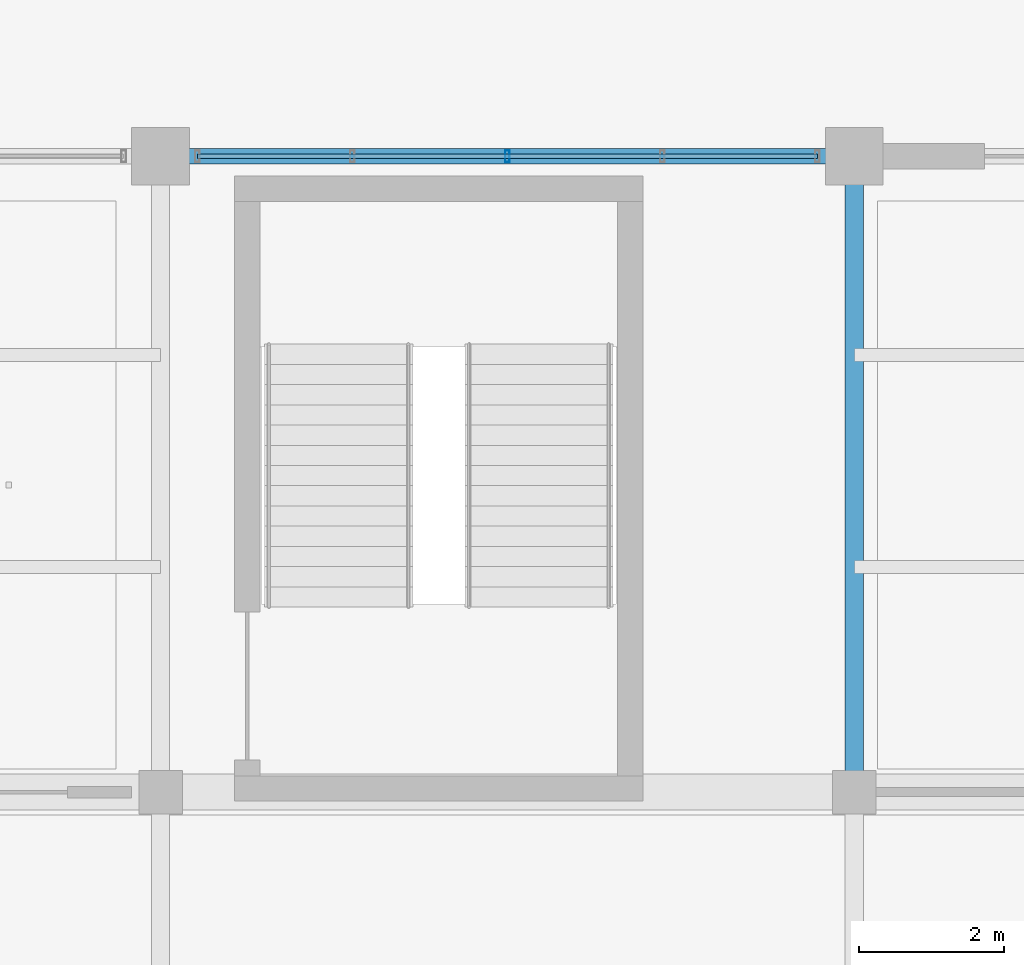
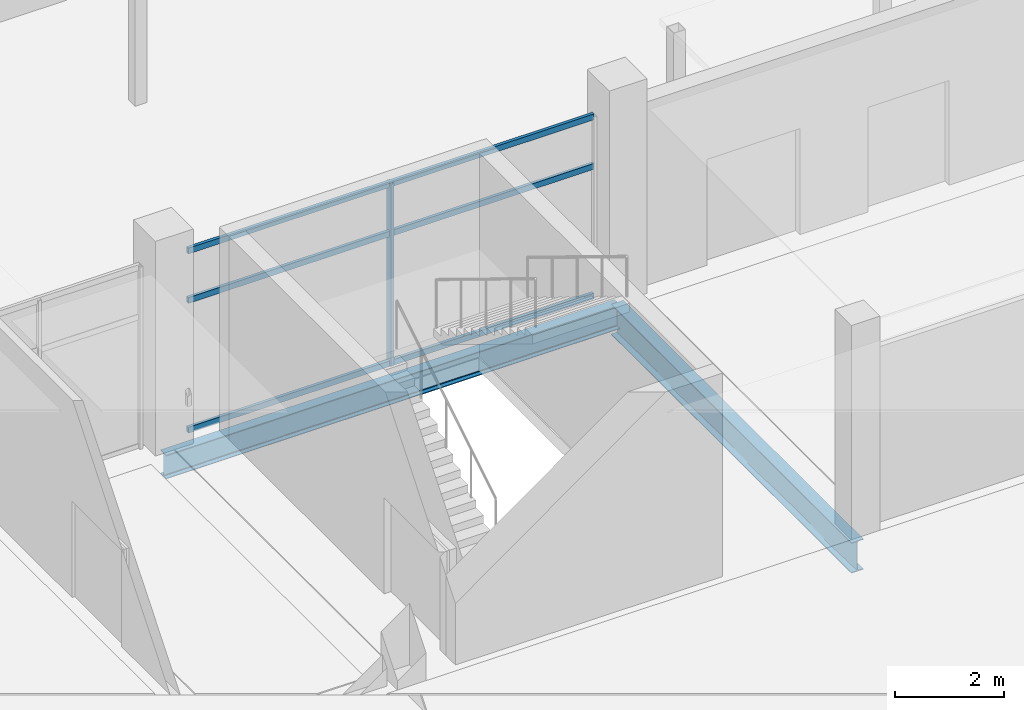
# One storey, part 48 of 116: 4 members, 2 beams, 1 element without a shape of its own.
"""IFC4 building model written with IfcOpenShell, lengths in metres."""

from ifc_helpers import new_model, si_unit, direction, frame, origin, origin_2d, place, context, subcontext, project, spatial, hollow_rectangle, i_section, extrude, material, layer, layer_set, material_profile, profile_set, type_object, element, aggregate, save


model = new_model("IFC4")

# Units and contexts
model_context = context("Model", 3, precision=1e-05, world=origin(), true_north=direction((0.0, 1.0)))
body_context = subcontext(model_context, "Body", "Model", "MODEL_VIEW")
ifc_project = project(units=[si_unit("LENGTHUNIT", "METRE"), si_unit("AREAUNIT", "SQUARE_METRE"), si_unit("VOLUMEUNIT", "CUBIC_METRE"), si_unit("PLANEANGLEUNIT", "RADIAN"), si_unit("MASSUNIT", "GRAM", prefix="KILO")], contexts=[model_context])

# Site, building, storey
site_placement = place(None, origin())
site = spatial("IfcSite", under=ifc_project, at=site_placement, CompositionType="ELEMENT")
building_placement = place(site_placement, origin())
building = spatial("IfcBuilding", under=site, at=building_placement, Name="Chalmorin Arch Market", CompositionType="ELEMENT")
storey_placement = place(building_placement, origin())
storey = spatial("IfcBuildingStorey", under=building, at=storey_placement, Name="L00", CompositionType="ELEMENT", Elevation=0.0)

# Curtain wall, members
ifc_material_1 = material(Name="Aluminium 6063-T6", Category="aluminium")
ifc_layer = layer(ifc_material_1, 0.159912109375)
ifc_layer_set = layer_set([ifc_layer], Name="Aluminium 6063-T6")
curtain_wall_type = type_object("IfcCurtainWallType", Name="RiverfrontStorefrontCurtainWall-CW2-8580x4080", PredefinedType="NOTDEFINED", material=ifc_layer_set)
curtain_wall_placement = place(storey_placement, origin())
curtain_wall = element("IfcCurtainWall", 1, at=curtain_wall_placement, inside=storey, type_object=curtain_wall_type, Name="CW-02-008", PredefinedType="NOTDEFINED")
ifc_material_profile_1 = material_profile(ifc_material_1, hollow_rectangle(XDim=0.06494140625, YDim=0.159912109375, WallThickness=0.00390625, at=origin_2d()), Name="ALU65X160X4")
ifc_profile_set_1 = profile_set([ifc_material_profile_1], Name="Aluminium 6063-T6")
member_type_1 = type_object("IfcMemberType", Name="CurtainWallMullion-65x160", PredefinedType="MULLION", material=ifc_profile_set_1)
member_1_placement = place(storey_placement, frame((72.0, 58.800048828125, 0.0), z_axis=(0.0, 0.0, 1.0), x_axis=(1.0, 0.0, 0.0)))
member_1 = element("IfcMember", 2, at=member_1_placement, type_object=member_type_1, Name="ML-008-03", PredefinedType="MULLION", context=body_context, shape_type="SweptSolid", body=[
    extrude(hollow_rectangle(XDim=0.06494140625, YDim=0.159912109375, WallThickness=0.00390625, at=origin_2d()), origin(), (0.0, 0.0, 1.0), 4.075927734375),
])
ifc_material_profile_2 = material_profile(ifc_material_1, hollow_rectangle(XDim=0.06494140625, YDim=0.1298828125, WallThickness=0.00390625, at=origin_2d()), Name="ALU65X130X4")
ifc_profile_set_2 = profile_set([ifc_material_profile_2], Name="Aluminium 6063-T6")
member_type_2 = type_object("IfcMemberType", Name="CurtainWallTransom-65x130", PredefinedType="USERDEFINED", material=ifc_profile_set_2)
member_2_placement = place(storey_placement, frame((67.7099609375, 58.800048828125, 0.034912109375), z_axis=(1.0, 0.0, 0.0), x_axis=(0.0, 1.0, 0.0)))
member_2 = element("IfcMember", 3, at=member_2_placement, type_object=member_type_2, Name="TR-008-01", ObjectType="TRANSOM", PredefinedType="USERDEFINED", context=body_context, shape_type="SweptSolid", body=[
    extrude(hollow_rectangle(XDim=0.06494140625, YDim=0.1298828125, WallThickness=0.00390625, at=origin_2d()), origin(), (0.0, 0.0, 1.0), 8.580078125),
])
member_3_placement = place(storey_placement, frame((67.7099609375, 58.800048828125, 2.934814453125), z_axis=(1.0, 0.0, 0.0), x_axis=(0.0, 1.0, 0.0)))
member_3 = element("IfcMember", 4, at=member_3_placement, type_object=member_type_2, Name="TR-008-02", ObjectType="TRANSOM", PredefinedType="USERDEFINED", context=body_context, shape_type="SweptSolid", body=[
    extrude(hollow_rectangle(XDim=0.06494140625, YDim=0.1298828125, WallThickness=0.00390625, at=origin_2d()), origin(), (0.0, 0.0, 1.0), 8.580078125),
])
member_4_placement = place(storey_placement, frame((67.7099609375, 58.800048828125, 4.041015625), z_axis=(1.0, 0.0, 0.0), x_axis=(0.0, 1.0, 0.0)))
member_4 = element("IfcMember", 5, at=member_4_placement, type_object=member_type_2, Name="TR-008-03", ObjectType="TRANSOM", PredefinedType="USERDEFINED", context=body_context, shape_type="SweptSolid", body=[
    extrude(hollow_rectangle(XDim=0.06494140625, YDim=0.1298828125, WallThickness=0.00390625, at=origin_2d()), origin(), (0.0, 0.0, 1.0), 8.580078125),
])
aggregate(curtain_wall, [member_1, member_2, member_3, member_4])

# Beams
ifc_material_2 = material(Name="Steel A992 Grade 50", Category="steel")
ifc_material_profile_3 = material_profile(ifc_material_2, i_section(OverallWidth=0.208984375, OverallDepth=0.532958984375, WebThickness=0.01025390625, FlangeThickness=0.015625, FilletRadius=0.02197265625, at=origin_2d()), Name="W21X62")
ifc_profile_set_3 = profile_set([ifc_material_profile_3], Name="Steel A992 Grade 50")
beam_type_1 = type_object("IfcBeamType", Name="PerimeterSpandrelBeam-W21X62", PredefinedType="SPANDREL", material=ifc_profile_set_3)
beam_1_placement = place(storey_placement, frame((67.199951171875, 58.800048828125, -0.568603515625), z_axis=(1.0, 0.0, 0.0), x_axis=(0.0, 1.0, 0.0)))
element("IfcBeam", 6, at=beam_1_placement, inside=storey, type_object=beam_type_1, Name="SP-W21-0044", PredefinedType="SPANDREL", context=body_context, shape_type="SweptSolid", body=[
    extrude(i_section(OverallWidth=0.208984375, OverallDepth=0.532958984375, WebThickness=0.01025390625, FlangeThickness=0.015625, FilletRadius=0.02197265625, at=origin_2d()), origin(), (0.0, 0.0, 1.0), 9.60009765625),
])
ifc_material_profile_4 = material_profile(ifc_material_2, i_section(OverallWidth=0.25390625, OverallDepth=0.68408203125, WebThickness=0.012451171875, FlangeThickness=0.018798828125, FilletRadius=0.02587890625, at=origin_2d()), Name="W27X94")
ifc_profile_set_4 = profile_set([ifc_material_profile_4], Name="Steel A992 Grade 50")
beam_type_2 = type_object("IfcBeamType", Name="PrimarySteelGirder-W27X94", PredefinedType="BEAM", material=ifc_profile_set_4)
beam_2_placement = place(storey_placement, frame((76.800048828125, 50.0, -0.64404296875), z_axis=(0.0, 1.0, 0.0), x_axis=(-1.0, 0.0, 0.0)))
element("IfcBeam", 7, at=beam_2_placement, inside=storey, type_object=beam_type_2, Name="BG-W27-0045", PredefinedType="BEAM", context=body_context, shape_type="SweptSolid", body=[
    extrude(i_section(OverallWidth=0.25390625, OverallDepth=0.68408203125, WebThickness=0.012451171875, FlangeThickness=0.018798828125, FilletRadius=0.02587890625, at=origin_2d()), origin(), (0.0, 0.0, 1.0), 8.800048828125),
])

save(model, "model.ifc")
